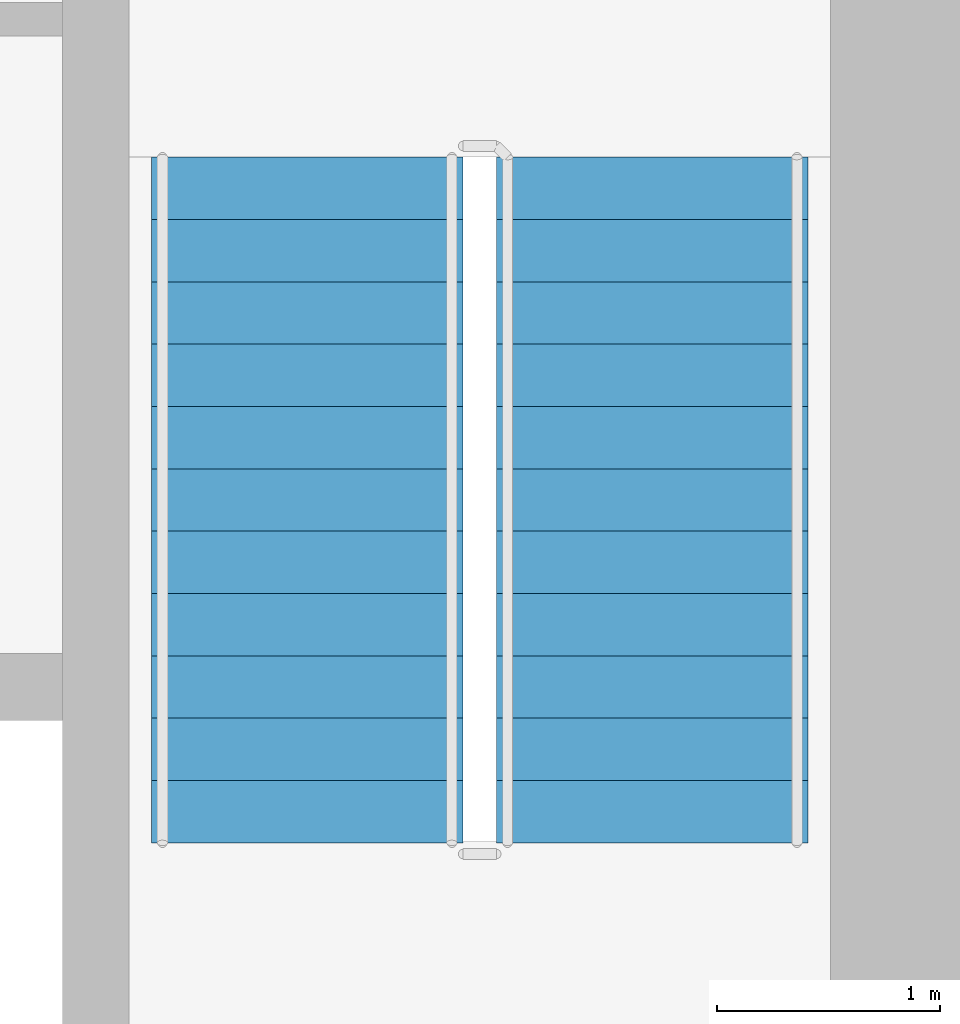
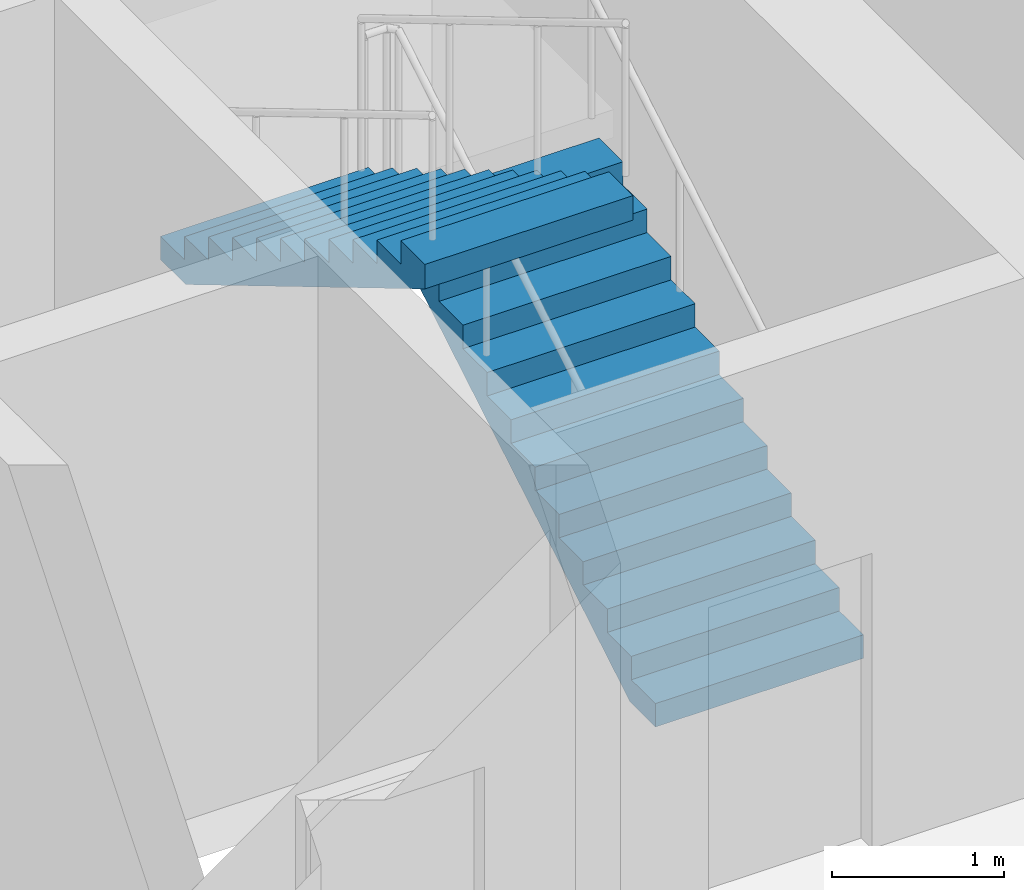
# One storey, part 9 of 13: 2 stair flights, 1 element without a shape of its own.
"""IFC4 building model written with IfcOpenShell, lengths in metres."""

from ifc_helpers import new_model, si_unit, direction, frame, origin, place, context, subcontext, project, spatial, polyline, outline, extrude, material, type_object, element, aggregate, save


model = new_model("IFC4")

# Units and contexts
model_context = context("Model", 3, precision=1e-05, world=origin(), true_north=direction((0.0, 1.0)))
body_context = subcontext(model_context, "Body", "Model", "MODEL_VIEW")
ifc_project = project(units=[si_unit("LENGTHUNIT", "METRE"), si_unit("AREAUNIT", "SQUARE_METRE"), si_unit("VOLUMEUNIT", "CUBIC_METRE"), si_unit("PLANEANGLEUNIT", "RADIAN"), si_unit("MASSUNIT", "GRAM", prefix="KILO")], contexts=[model_context])

# Site, building, storey
site_placement = place(None, origin())
site = spatial("IfcSite", under=ifc_project, at=site_placement, CompositionType="ELEMENT")
building_placement = place(site_placement, origin())
building = spatial("IfcBuilding", under=site, at=building_placement, Name="Mopane Tessera Tower", CompositionType="ELEMENT")
storey_placement = place(building_placement, frame((0.0, 0.0, 345.39990234375)))
storey = spatial("IfcBuildingStorey", under=building, at=storey_placement, Name="L75", CompositionType="ELEMENT", Elevation=345.39990234375)

# Stair, stair flights
ifc_material_1 = material(Name="Concrete C50/60", Category="concrete")
stair_type = type_object("IfcStairType", Name="Escape stair 1400 mm, riser 167 mm", PredefinedType="HALF_TURN_STAIR", material=ifc_material_1)
stair_placement = place(storey_placement, origin())
stair = element("IfcStair", 1, at=stair_placement, inside=storey, type_object=stair_type, Name="L75 Escape stair north-east", PredefinedType="HALF_TURN_STAIR")
ifc_material_2 = material(Name="Concrete C50/60", Category="concrete")
stair_flight_type = type_object("IfcStairFlightType", Name="Escape stair flight 1400 mm", PredefinedType="STRAIGHT", material=ifc_material_2)
stair_flight_1_placement = place(storey_placement, frame((13.0, 7.699951171875, 0.0), z_axis=(0.0, 0.0, 1.0), x_axis=(0.0, 1.0, 0.0)))
stair_flight_1 = element("IfcStairFlight", 2, at=stair_flight_1_placement, type_object=stair_flight_type, Name="ST4 flight 1", NumberOfRisers=12, NumberOfTreads=11, PredefinedType="STRAIGHT", RiserHeight=0.166666667, TreadLength=0.28, context=body_context, shape_type="SweptSolid", body=[
    extrude(outline(polyline([(0.0, 0.0), (0.0, 0.166748046875), (0.280029296875, 0.166748046875), (0.280029296875, 0.333251953125), (0.56005859375, 0.333251953125), (0.56005859375, 0.5), (0.840087890625, 0.5), (0.840087890625, 0.666748046875), (1.1201171875, 0.666748046875), (1.1201171875, 0.833251953125), (1.39990234375, 0.833251953125), (1.39990234375, 1.0), (1.679931640625, 1.0), (1.679931640625, 1.166748046875), (1.9599609375, 1.166748046875), (1.9599609375, 1.333251953125), (2.239990234375, 1.333251953125), (2.239990234375, 1.5), (2.52001953125, 1.5), (2.52001953125, 1.666748046875), (2.800048828125, 1.666748046875), (2.800048828125, 1.833251953125), (3.080078125, 1.833251953125), (3.080078125, 2.0), (3.080078125, 1.658935546875), (0.29296875, 0.0), (0.0, 0.0)])), frame((0.0, 0.699951171875, 0.0), z_axis=(0.0, -1.0, 0.0), x_axis=(1.0, 0.0, 0.0)), (0.0, 0.0, 1.0), 1.39990234375),
])
stair_flight_2_placement = place(storey_placement, frame((11.449951171875, 10.780029296875, 2.0), z_axis=(0.0, 0.0, 1.0), x_axis=(0.0, -1.0, 0.0)))
stair_flight_2 = element("IfcStairFlight", 3, at=stair_flight_2_placement, type_object=stair_flight_type, Name="ST4 flight 2", NumberOfRisers=12, NumberOfTreads=11, PredefinedType="STRAIGHT", RiserHeight=0.166666667, TreadLength=0.28, context=body_context, shape_type="SweptSolid", body=[
    extrude(outline(polyline([(0.0, 0.0), (0.0, 0.166748046875), (0.280029296875, 0.166748046875), (0.280029296875, 0.333251953125), (0.56005859375, 0.333251953125), (0.56005859375, 0.5), (0.840087890625, 0.5), (0.840087890625, 0.666748046875), (1.1201171875, 0.666748046875), (1.1201171875, 0.833251953125), (1.39990234375, 0.833251953125), (1.39990234375, 1.0), (1.679931640625, 1.0), (1.679931640625, 1.166748046875), (1.9599609375, 1.166748046875), (1.9599609375, 1.333251953125), (2.239990234375, 1.333251953125), (2.239990234375, 1.5), (2.52001953125, 1.5), (2.52001953125, 1.666748046875), (2.800048828125, 1.666748046875), (2.800048828125, 1.833251953125), (3.080078125, 1.833251953125), (3.080078125, 2.0), (3.080078125, 1.658935546875), (0.29296875, 0.0), (0.0, 0.0)])), frame((0.0, 0.699951171875, 0.0), z_axis=(0.0, -1.0, 0.0), x_axis=(1.0, 0.0, 0.0)), (0.0, 0.0, 1.0), 1.39990234375),
])
aggregate(stair, [stair_flight_1, stair_flight_2])

save(model, "model.ifc")
